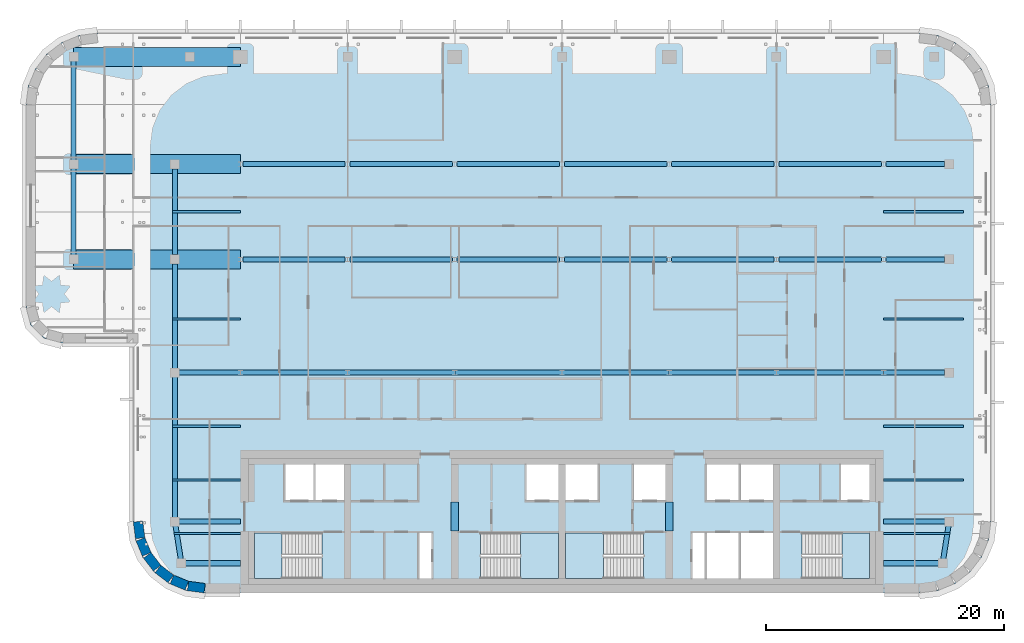
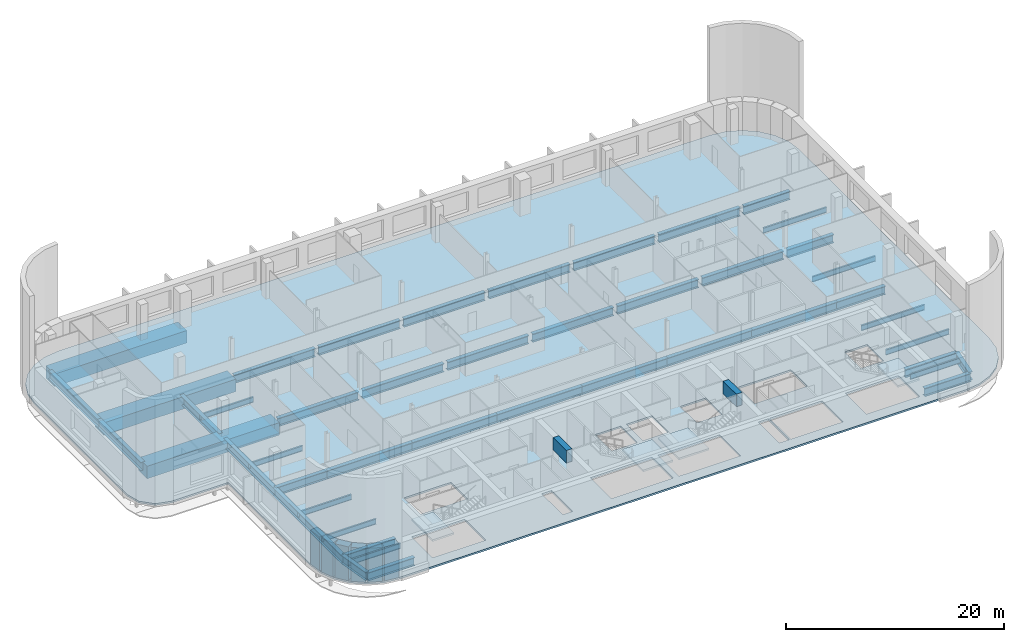
# One storey, part 5 of 19: 48 beams, 6 walls, 5 slabs, 4 elements without a shape of their own.
"""IFC4 building model written with IfcOpenShell, lengths in metres."""

import ifcopenshell
import ifcopenshell.guid

model = None  # the IFC model being written
_history = None  # IfcOwnerHistory: only IFC2X3 demands one
_inside = {}  # id of a spatial element -> (the spatial element, [elements in it])
_under = {}  # id of a project, library or spatial element -> (it, [spatial elements below it])
_declared = {}  # id of a project -> (the project, [libraries it declares])
_typed = {}  # id of a type object -> (the type object, [elements of that type])
_made_of = {}  # id of a material, layer set ... -> (it, [elements and type objects made of it])


def new_model(schema):
    """Start an empty IFC model of exactly this schema.

    Asked for "IFC4X3", IfcOpenShell would pick the latest addendum, in which some entities
    have other attributes; the version numbers below select the first issue.
    IFC2X3 requires an IfcOwnerHistory on every rooted entity: one is made here for all.
    """
    global model, _history
    if schema == "IFC4X3":
        model = ifcopenshell.file(schema_version=(4, 3, 0, 0))
    else:
        model = ifcopenshell.file(schema=schema)
    _inside.clear()
    _under.clear()
    _declared.clear()
    _typed.clear()
    _made_of.clear()
    _history = None
    if model.schema == "IFC2X3":
        org = make("IfcOrganization", Name="unknown")
        user = make(
            "IfcPersonAndOrganization",
            ThePerson=make("IfcPerson", FamilyName="unknown"),
            TheOrganization=org,
        )
        app = make(
            "IfcApplication",
            ApplicationDeveloper=org,
            Version="unknown",
            ApplicationFullName="unknown",
            ApplicationIdentifier="unknown",
        )
        _history = make(
            "IfcOwnerHistory",
            OwningUser=user,
            OwningApplication=app,
            ChangeAction="ADDED",
            CreationDate=0,
        )
    return model


def make(cls, **values):
    """One entity of the class cls with the attributes given. An attribute that is None is left unset."""
    return model.create_entity(
        cls, **{name: value for name, value in values.items() if value is not None}
    )


def rooted(cls, **values):
    """An entity with a GlobalId (a new one), such as an element, a storey or a relation."""
    return make(cls, GlobalId=ifcopenshell.guid.new(), OwnerHistory=_history, **values)


def si_unit(unit_type, name, prefix=None):
    """IfcSIUnit, for example si_unit("LENGTHUNIT", "METRE", prefix="MILLI")."""
    return make("IfcSIUnit", UnitType=unit_type, Prefix=prefix, Name=name)


def assignment(units):
    """IfcUnitAssignment: the units of a project."""
    return None if units is None else make("IfcUnitAssignment", Units=units)


def point(xyz):
    """IfcCartesianPoint."""
    return None if xyz is None else make("IfcCartesianPoint", Coordinates=xyz)


def direction(xyz):
    """IfcDirection."""
    return None if xyz is None else make("IfcDirection", DirectionRatios=xyz)


def frame(location, z_axis=None, x_axis=None):
    """IfcAxis2Placement3D, a coordinate frame: its origin and axes. An axis left out is left unset."""
    return make(
        "IfcAxis2Placement3D",
        Location=point(location),
        Axis=direction(z_axis),
        RefDirection=direction(x_axis),
    )


def frame_2d(location, x_axis=None):
    """IfcAxis2Placement2D, a coordinate frame in the plane: its origin and x axis."""
    return make(
        "IfcAxis2Placement2D", Location=point(location), RefDirection=direction(x_axis)
    )


def origin():
    """The frame at (0, 0, 0) with its axes left unset."""
    return frame((0.0, 0.0, 0.0))


def origin_2d():
    """The frame at (0, 0) in the plane with its x axis left unset."""
    return frame_2d((0.0, 0.0))


def place(relative_to, where):
    """IfcLocalPlacement: puts the frame where relative to a parent placement (None: the world)."""
    return make(
        "IfcLocalPlacement", PlacementRelTo=relative_to, RelativePlacement=where
    )


def context(
    kind, dimensions, precision=None, world=None, true_north=None, identifier=None
):
    """IfcGeometricRepresentationContext, for example the 3D "Model" context."""
    return make(
        "IfcGeometricRepresentationContext",
        ContextIdentifier=identifier,
        ContextType=kind,
        CoordinateSpaceDimension=dimensions,
        Precision=precision,
        WorldCoordinateSystem=world,
        TrueNorth=true_north,
    )


def subcontext(parent, identifier, kind, view, scale=None):
    """IfcGeometricRepresentationSubContext, for example "Body" below "Model"."""
    return make(
        "IfcGeometricRepresentationSubContext",
        ContextIdentifier=identifier,
        ContextType=kind,
        ParentContext=parent,
        TargetScale=scale,
        TargetView=view,
    )


def project(units=None, contexts=None):
    """IfcProject with its units and contexts."""
    return rooted(
        "IfcProject",
        Name="project",
        RepresentationContexts=contexts,
        UnitsInContext=assignment(units),
    )


def spatial(cls, under=None, at=None, **own):
    """A site, building, storey or space (cls), placed at a placement, below another one or the project."""
    s = rooted(cls, ObjectPlacement=at, **own)
    if under is not None:
        _under.setdefault(under.id(), (under, []))[1].append(s)
    return s


def polyline(points):
    """IfcPolyline through the points."""
    return make("IfcPolyline", Points=[point(p) for p in points])


def profile(cls, at=None, kind="AREA", **sizes):
    """A parametric profile (cls). Its sizes go by their IFC names, for example OverallWidth=200.0."""
    return make(cls, ProfileType=kind, Position=at, **sizes)


def rectangle(**sizes):
    """IfcRectangleProfileDef."""
    return profile("IfcRectangleProfileDef", **sizes)


def i_section(**sizes):
    """IfcIShapeProfileDef."""
    return profile("IfcIShapeProfileDef", **sizes)


def outline(outer, holes=None, kind="AREA"):
    """IfcArbitraryClosedProfileDef: a profile drawn as a closed curve; with holes, ...WithVoids."""
    if holes is None:
        return make("IfcArbitraryClosedProfileDef", ProfileType=kind, OuterCurve=outer)
    return make(
        "IfcArbitraryProfileDefWithVoids",
        ProfileType=kind,
        OuterCurve=outer,
        InnerCurves=holes,
    )


def extrude(swept, where, along, depth):
    """IfcExtrudedAreaSolid: the profile swept, set in the frame where, extruded along a direction by depth."""
    return make(
        "IfcExtrudedAreaSolid",
        SweptArea=swept,
        Position=where,
        ExtrudedDirection=direction(along),
        Depth=depth,
    )


def shape(context_of_items, identifier, shape_type, items):
    """IfcShapeRepresentation: the items that make up one representation, for example the "Body"."""
    return make(
        "IfcShapeRepresentation",
        ContextOfItems=context_of_items,
        RepresentationIdentifier=identifier,
        RepresentationType=shape_type,
        Items=items,
    )


def material(Name=None, Category=None):
    """IfcMaterial."""
    return make("IfcMaterial", Name=Name, Category=Category)


def layer(
    of_material, thickness, ventilated=None, Name=None, Category=None, Priority=None
):
    """IfcMaterialLayer: one layer of a wall or slab, of a material (None: an air gap)."""
    return make(
        "IfcMaterialLayer",
        Material=of_material,
        LayerThickness=thickness,
        IsVentilated=ventilated,
        Name=Name,
        Category=Category,
        Priority=Priority,
    )


def layer_set(layers, Name=None):
    """IfcMaterialLayerSet."""
    return make("IfcMaterialLayerSet", MaterialLayers=layers, LayerSetName=Name)


def material_profile(
    of_material, cross_section, Name=None, Category=None, Priority=None
):
    """IfcMaterialProfile: a cross section and its material."""
    return make(
        "IfcMaterialProfile",
        Name=Name,
        Material=of_material,
        Profile=cross_section,
        Priority=Priority,
        Category=Category,
    )


def profile_set(profiles, Name=None, composite=None):
    """IfcMaterialProfileSet."""
    return make(
        "IfcMaterialProfileSet",
        Name=Name,
        MaterialProfiles=profiles,
        CompositeProfile=composite,
    )


def made_of(thing, what):
    """Note that an element or type object is made of a material, layer set ...; save() writes the relation."""
    if what is not None:
        _made_of.setdefault(what.id(), (what, []))[1].append(thing)
    return thing


def type_object(cls, material=None, **own):
    """A type object (cls), such as IfcWallType, which elements share."""
    return made_of(rooted(cls, **own), material)


def element(
    cls,
    number,
    at=None,
    inside=None,
    cuts=None,
    type_object=None,
    material=None,
    context=None,
    identifier="Body",
    shape_type=None,
    held_by="IfcProductDefinitionShape",
    body=None,
    shapes=None,
    **own,
):
    """One element of the class cls, such as IfcWall. Its Tag is "e" and its number.

    at: its placement. inside: the storey or other place that contains it. cuts: it is an
    opening in that element (IfcRelVoidsElement). A single representation is given by context,
    identifier, shape_type and body (its items); several are given by shapes. held_by: the class
    of the entity that holds the representations. save() writes the other relations.
    """
    e = rooted(cls, Tag="e%d" % number, ObjectPlacement=at, **own)
    if body is not None:
        shapes = [shape(context, identifier, shape_type, body)]
    if shapes is not None:
        e.Representation = make(held_by, Representations=shapes)
    if inside is not None:
        _inside.setdefault(inside.id(), (inside, []))[1].append(e)
    if cuts is not None:
        rooted(
            "IfcRelVoidsElement", RelatingBuildingElement=cuts, RelatedOpeningElement=e
        )
    if type_object is not None:
        _typed.setdefault(type_object.id(), (type_object, []))[1].append(e)
    return made_of(e, material)


def aggregate(whole, parts):
    """IfcRelAggregates: a whole, such as a stair, and the parts it consists of."""
    return rooted("IfcRelAggregates", RelatingObject=whole, RelatedObjects=parts)


def save(model, path):
    """Write the relations noted so far, then the file.

    IfcRelAggregates (storeys below a building ...), IfcRelContainedInSpatialStructure (elements
    in a storey), IfcRelDefinesByType, IfcRelAssociatesMaterial and IfcRelDeclares: one each for
    every whole, place, type object, material and project.
    """
    for whole, parts in _under.values():
        aggregate(whole, parts)
    for where, things in _inside.values():
        rooted(
            "IfcRelContainedInSpatialStructure",
            RelatedElements=things,
            RelatingStructure=where,
        )
    for kind, things in _typed.values():
        rooted("IfcRelDefinesByType", RelatedObjects=things, RelatingType=kind)
    for what, things in _made_of.values():
        rooted("IfcRelAssociatesMaterial", RelatedObjects=things, RelatingMaterial=what)
    for by, libraries in _declared.values():
        rooted("IfcRelDeclares", RelatingContext=by, RelatedDefinitions=libraries)
    model.write(path)


model = new_model("IFC4")

# Units and contexts
model_context = context("Model", 3, precision=1e-05, world=origin(), true_north=direction((0.0, 1.0)))
body_context = subcontext(model_context, "Body", "Model", "MODEL_VIEW")
ifc_project = project(units=[si_unit("LENGTHUNIT", "METRE"), si_unit("AREAUNIT", "SQUARE_METRE"), si_unit("VOLUMEUNIT", "CUBIC_METRE"), si_unit("PLANEANGLEUNIT", "RADIAN"), si_unit("MASSUNIT", "GRAM", prefix="KILO")], contexts=[model_context])

# Site, building, storey
site_placement = place(None, origin())
site = spatial("IfcSite", under=ifc_project, at=site_placement, CompositionType="ELEMENT")
building_placement = place(site_placement, origin())
building = spatial("IfcBuilding", under=site, at=building_placement, Name="Zellij Exchange Tower", CompositionType="ELEMENT")
storey_placement = place(building_placement, frame((0.0, 0.0, 220.5)))
storey = spatial("IfcBuildingStorey", under=building, at=storey_placement, Name="L51", CompositionType="ELEMENT", Elevation=220.5)

# Beams
ifc_material_1 = material(Name="Concrete C50/60", Category="concrete")
ifc_material_profile_1 = material_profile(ifc_material_1, rectangle(XDim=0.60009765625, YDim=1.39990234375, at=origin_2d()), Name="CORE-CB 600x1400 C50/60")
ifc_profile_set_1 = profile_set([ifc_material_profile_1], Name="Concrete C50/60")
beam_type_1 = type_object("IfcBeamType", Name="CORE-CB 600x1400 C50/60", PredefinedType="BEAM", material=ifc_profile_set_1)
for number, where, z_axis, x_axis, name in (
    (1, (-9.0, -8.800048828125, 3.10009765625), (0.0, 1.0, 0.0), (-1.0, 0.0, 0.0), "Core coupling beam x -9 L51"),
    (2, (9.0, -8.800048828125, 3.10009765625), (0.0, 1.0, 0.0), (-1.0, 0.0, 0.0), "Core coupling beam x 9 L51"),
):
    element("IfcBeam", number, at=place(storey_placement, frame(where, z_axis=z_axis, x_axis=x_axis)), inside=storey, type_object=beam_type_1, Name=name, PredefinedType="BEAM", context=body_context, shape_type="SweptSolid", body=[
        extrude(rectangle(XDim=0.60009765625, YDim=1.39990234375, at=origin_2d()), origin(), (0.0, 0.0, 1.0), 2.425048828125),
    ])
ifc_material_2 = material(Name="Structural steel ASTM A992 Gr 50", Category="steel")
ifc_material_profile_2 = material_profile(ifc_material_2, i_section(OverallWidth=0.177978515625, OverallDepth=0.599365234375, WebThickness=0.010009765625, FlangeThickness=0.012939453125, at=origin_2d()), Name="W24x55")
ifc_profile_set_2 = profile_set([ifc_material_profile_2], Name="Structural steel ASTM A992 Gr 50")
beam_type_2 = type_object("IfcBeamType", Name="STR-BEAM W24x55", PredefinedType="BEAM", material=ifc_profile_set_2)
beam_1_placement = place(storey_placement, frame((-32.5576171875, -9.0, -0.499755859375), z_axis=(1.0, 0.0, 0.0), x_axis=(0.0, 1.0, 0.0)))
element("IfcBeam", 3, at=beam_1_placement, inside=storey, type_object=beam_type_2, Name="B4", PredefinedType="BEAM", context=body_context, shape_type="SweptSolid", body=[
    extrude(i_section(OverallWidth=0.177978515625, OverallDepth=0.599365234375, WebThickness=0.010009765625, FlangeThickness=0.012939453125, at=origin_2d()), origin(), (0.0, 0.0, 1.0), 5.5576171875),
])
for number, where, z_axis, x_axis, name in (
    (4, (-32.712158203125, -4.5, -0.499755859375), (1.0, 0.0, 0.0), (0.0, 1.0, 0.0), "B4"),
    (5, (-32.712158203125, 0.0, -0.499755859375), (1.0, 0.0, 0.0), (0.0, 1.0, 0.0), "B4"),
    (6, (-32.712158203125, 9.0, -0.499755859375), (1.0, 0.0, 0.0), (0.0, 1.0, 0.0), "B4"),
    (7, (-32.712158203125, 18.0, -0.499755859375), (1.0, 0.0, 0.0), (0.0, 1.0, 0.0), "B4"),
):
    element("IfcBeam", number, at=place(storey_placement, frame(where, z_axis=z_axis, x_axis=x_axis)), inside=storey, type_object=beam_type_2, Name=name, PredefinedType="BEAM", context=body_context, shape_type="SweptSolid", body=[
        extrude(i_section(OverallWidth=0.177978515625, OverallDepth=0.599365234375, WebThickness=0.010009765625, FlangeThickness=0.012939453125, at=origin_2d()), origin(), (0.0, 0.0, 1.0), 5.712158203125),
    ])
beam_2_placement = place(storey_placement, frame((27.0, -9.0, -0.499755859375), z_axis=(1.0, 0.0, 0.0), x_axis=(0.0, 1.0, 0.0)))
element("IfcBeam", 8, at=beam_2_placement, inside=storey, type_object=beam_type_2, Name="B4", PredefinedType="BEAM", context=body_context, shape_type="SweptSolid", body=[
    extrude(i_section(OverallWidth=0.177978515625, OverallDepth=0.599365234375, WebThickness=0.010009765625, FlangeThickness=0.012939453125, at=origin_2d()), origin(), (0.0, 0.0, 1.0), 5.5576171875),
])
for number, where, z_axis, x_axis, name in (
    (9, (27.0, -4.5, -0.499755859375), (1.0, 0.0, 0.0), (0.0, 1.0, 0.0), "B4"),
    (10, (27.0, 0.0, -0.499755859375), (1.0, 0.0, 0.0), (0.0, 1.0, 0.0), "B4"),
    (11, (27.0, 9.0, -0.499755859375), (1.0, 0.0, 0.0), (0.0, 1.0, 0.0), "B4"),
    (12, (27.0, 18.0, -0.499755859375), (1.0, 0.0, 0.0), (0.0, 1.0, 0.0), "B4"),
):
    element("IfcBeam", number, at=place(storey_placement, frame(where, z_axis=z_axis, x_axis=x_axis)), inside=storey, type_object=beam_type_2, Name=name, PredefinedType="BEAM", context=body_context, shape_type="SweptSolid", body=[
        extrude(i_section(OverallWidth=0.177978515625, OverallDepth=0.599365234375, WebThickness=0.010009765625, FlangeThickness=0.012939453125, at=origin_2d()), origin(), (0.0, 0.0, 1.0), 6.699951171875),
    ])
ifc_material_3 = material(Name="Structural steel ASTM A913 Gr 65", Category="steel")
ifc_material_profile_3 = material_profile(ifc_material_3, i_section(OverallWidth=0.424072265625, OverallDepth=0.93212890625, WebThickness=0.02392578125, FlangeThickness=0.042724609375, at=origin_2d()), Name="W36x300")
ifc_profile_set_3 = profile_set([ifc_material_profile_3], Name="Structural steel ASTM A913 Gr 65")
beam_type_3 = type_object("IfcBeamType", Name="STR-EDGE GIRDER W36x300", PredefinedType="BEAM", material=ifc_profile_set_3)
beam_3_placement = place(storey_placement, frame((-31.949951171875, -11.5, -0.666015625), z_axis=(-0.155251283593, 0.987875011802, 0.0), x_axis=(-0.987875011802, -0.155251283593, 0.0)))
element("IfcBeam", 13, at=beam_3_placement, inside=storey, type_object=beam_type_3, Name="EG5", PredefinedType="BEAM", context=body_context, shape_type="SweptSolid", body=[
    extrude(i_section(OverallWidth=0.424072265625, OverallDepth=0.93212890625, WebThickness=0.02392578125, FlangeThickness=0.042724609375, at=origin_2d()), origin(), (0.0, 0.0, 1.0), 3.54296875),
])
beam_4_placement = place(storey_placement, frame((-32.5, -8.0, -0.666015625), z_axis=(0.0, 1.0, 0.0), x_axis=(-1.0, 0.0, 0.0)))
element("IfcBeam", 14, at=beam_4_placement, inside=storey, type_object=beam_type_3, Name="EG5", PredefinedType="BEAM", context=body_context, shape_type="SweptSolid", body=[
    extrude(i_section(OverallWidth=0.424072265625, OverallDepth=0.93212890625, WebThickness=0.02392578125, FlangeThickness=0.042724609375, at=origin_2d()), origin(), (0.0, 0.0, 1.0), 12.5),
])
beam_5_placement = place(storey_placement, frame((-32.5, 4.5, -0.666015625), z_axis=(0.0, 1.0, 0.0), x_axis=(-1.0, 0.0, 0.0)))
element("IfcBeam", 15, at=beam_5_placement, inside=storey, type_object=beam_type_3, Name="EG5", PredefinedType="BEAM", context=body_context, shape_type="SweptSolid", body=[
    extrude(i_section(OverallWidth=0.424072265625, OverallDepth=0.93212890625, WebThickness=0.02392578125, FlangeThickness=0.042724609375, at=origin_2d()), origin(), (0.0, 0.0, 1.0), 9.10009765625),
])
beam_6_placement = place(storey_placement, frame((-32.5, 14.39990234375, -0.666015625), z_axis=(0.0, 1.0, 0.0), x_axis=(-1.0, 0.0, 0.0)))
element("IfcBeam", 16, at=beam_6_placement, inside=storey, type_object=beam_type_3, Name="EG5", PredefinedType="BEAM", context=body_context, shape_type="SweptSolid", body=[
    extrude(i_section(OverallWidth=0.424072265625, OverallDepth=0.93212890625, WebThickness=0.02392578125, FlangeThickness=0.042724609375, at=origin_2d()), origin(), (0.0, 0.0, 1.0), 7.2001953125),
])
beam_7_placement = place(storey_placement, frame((31.949951171875, -11.5, -0.666015625), z_axis=(0.155251283593, 0.987875011802, 0.0), x_axis=(-0.987875011802, 0.155251283593, 0.0)))
element("IfcBeam", 17, at=beam_7_placement, inside=storey, type_object=beam_type_3, Name="EG5", PredefinedType="BEAM", context=body_context, shape_type="SweptSolid", body=[
    extrude(i_section(OverallWidth=0.424072265625, OverallDepth=0.93212890625, WebThickness=0.02392578125, FlangeThickness=0.042724609375, at=origin_2d()), origin(), (0.0, 0.0, 1.0), 3.54296875),
])
ifc_material_profile_4 = material_profile(ifc_material_1, rectangle(XDim=1.60009765625, YDim=1.39990234375, at=origin_2d()), Name="STR-END BLOCK TRANSFER GIRDER RC1600x1400 C50/60")
ifc_profile_set_4 = profile_set([ifc_material_profile_4], Name="Concrete C50/60")
beam_type_4 = type_object("IfcBeamType", Name="STR-END BLOCK TRANSFER GIRDER RC1600x1400 C50/60", PredefinedType="BEAM", material=ifc_profile_set_4)
for number, where, z_axis, x_axis, name in (
    (18, (-41.0, 14.0, -0.89990234375), (1.0, 0.0, 0.0), (0.0, 1.0, 0.0), "ETG1"),
    (19, (-41.0, 22.0, -0.89990234375), (1.0, 0.0, 0.0), (0.0, 1.0, 0.0), "ETG1"),
    (20, (-41.0, 31.0, -0.89990234375), (1.0, 0.0, 0.0), (0.0, 1.0, 0.0), "ETG1"),
):
    element("IfcBeam", number, at=place(storey_placement, frame(where, z_axis=z_axis, x_axis=x_axis)), inside=storey, type_object=beam_type_4, Name=name, PredefinedType="BEAM", context=body_context, shape_type="SweptSolid", body=[
        extrude(rectangle(XDim=1.60009765625, YDim=1.39990234375, at=origin_2d()), origin(), (0.0, 0.0, 1.0), 14.0),
    ])
ifc_material_profile_5 = material_profile(ifc_material_3, i_section(OverallWidth=0.424072265625, OverallDepth=0.93212890625, WebThickness=0.02392578125, FlangeThickness=0.042724609375, at=origin_2d()), Name="W36x300")
ifc_profile_set_5 = profile_set([ifc_material_profile_5], Name="Structural steel ASTM A913 Gr 65")
beam_type_5 = type_object("IfcBeamType", Name="STR-GIRDER W36x300", PredefinedType="BEAM", material=ifc_profile_set_5)
for number, where, z_axis, x_axis, name in (
    (21, (-31.949951171875, -11.5, -0.666015625), (1.0, 0.0, 0.0), (0.0, 1.0, 0.0), "G5"),
    (22, (27.0, -11.5, -0.666015625), (1.0, 0.0, 0.0), (0.0, 1.0, 0.0), "G5"),
):
    element("IfcBeam", number, at=place(storey_placement, frame(where, z_axis=z_axis, x_axis=x_axis)), inside=storey, type_object=beam_type_5, Name=name, PredefinedType="BEAM", context=body_context, shape_type="SweptSolid", body=[
        extrude(i_section(OverallWidth=0.424072265625, OverallDepth=0.93212890625, WebThickness=0.02392578125, FlangeThickness=0.042724609375, at=origin_2d()), origin(), (0.0, 0.0, 1.0), 4.949951171875),
    ])
for number, where, z_axis, x_axis, name in (
    (23, (-32.5, -8.0, -0.666015625), (1.0, 0.0, 0.0), (0.0, 1.0, 0.0), "G5"),
    (24, (27.0, -8.0, -0.666015625), (1.0, 0.0, 0.0), (0.0, 1.0, 0.0), "G5"),
    (25, (-32.5, 4.5, -0.666015625), (1.0, 0.0, 0.0), (0.0, 1.0, 0.0), "G5"),
):
    element("IfcBeam", number, at=place(storey_placement, frame(where, z_axis=z_axis, x_axis=x_axis)), inside=storey, type_object=beam_type_5, Name=name, PredefinedType="BEAM", context=body_context, shape_type="SweptSolid", body=[
        extrude(i_section(OverallWidth=0.424072265625, OverallDepth=0.93212890625, WebThickness=0.02392578125, FlangeThickness=0.042724609375, at=origin_2d()), origin(), (0.0, 0.0, 1.0), 5.5),
    ])
for number, where, z_axis, x_axis, name in (
    (26, (-27.0, 4.5, -0.666015625), (1.0, 0.0, 0.0), (0.0, 1.0, 0.0), "G5"),
    (27, (-18.0, 4.5, -0.666015625), (1.0, 0.0, 0.0), (0.0, 1.0, 0.0), "G5"),
    (28, (-9.0, 4.5, -0.666015625), (1.0, 0.0, 0.0), (0.0, 1.0, 0.0), "G5"),
    (29, (0.0, 4.5, -0.666015625), (1.0, 0.0, 0.0), (0.0, 1.0, 0.0), "G5"),
    (30, (9.0, 4.5, -0.666015625), (1.0, 0.0, 0.0), (0.0, 1.0, 0.0), "G5"),
    (31, (18.0, 4.5, -0.666015625), (1.0, 0.0, 0.0), (0.0, 1.0, 0.0), "G5"),
):
    element("IfcBeam", number, at=place(storey_placement, frame(where, z_axis=z_axis, x_axis=x_axis)), inside=storey, type_object=beam_type_5, Name=name, PredefinedType="BEAM", context=body_context, shape_type="SweptSolid", body=[
        extrude(i_section(OverallWidth=0.424072265625, OverallDepth=0.93212890625, WebThickness=0.02392578125, FlangeThickness=0.042724609375, at=origin_2d()), origin(), (0.0, 0.0, 1.0), 9.0),
    ])
beam_8_placement = place(storey_placement, frame((27.0, 4.5, -0.666015625), z_axis=(1.0, 0.0, 0.0), x_axis=(0.0, 1.0, 0.0)))
element("IfcBeam", 32, at=beam_8_placement, inside=storey, type_object=beam_type_5, Name="G5", PredefinedType="BEAM", context=body_context, shape_type="SweptSolid", body=[
    extrude(i_section(OverallWidth=0.424072265625, OverallDepth=0.93212890625, WebThickness=0.02392578125, FlangeThickness=0.042724609375, at=origin_2d()), origin(), (0.0, 0.0, 1.0), 5.10009765625),
])
for number, where, z_axis, x_axis, name in (
    (33, (-26.800537109375, 14.0, -0.666015625), (1.0, 0.0, 0.0), (0.0, 1.0, 0.0), "G5"),
    (34, (-17.800537109375, 14.0, -0.666015625), (1.0, 0.0, 0.0), (0.0, 1.0, 0.0), "G5"),
    (35, (-8.800537109375, 14.0, -0.666015625), (1.0, 0.0, 0.0), (0.0, 1.0, 0.0), "G5"),
    (36, (0.199462890625, 14.0, -0.666015625), (1.0, 0.0, 0.0), (0.0, 1.0, 0.0), "G5"),
    (37, (9.199462890625, 14.0, -0.666015625), (1.0, 0.0, 0.0), (0.0, 1.0, 0.0), "G5"),
    (38, (18.199462890625, 14.0, -0.666015625), (1.0, 0.0, 0.0), (0.0, 1.0, 0.0), "G5"),
):
    element("IfcBeam", number, at=place(storey_placement, frame(where, z_axis=z_axis, x_axis=x_axis)), inside=storey, type_object=beam_type_5, Name=name, PredefinedType="BEAM", context=body_context, shape_type="SweptSolid", body=[
        extrude(i_section(OverallWidth=0.424072265625, OverallDepth=0.93212890625, WebThickness=0.02392578125, FlangeThickness=0.042724609375, at=origin_2d()), origin(), (0.0, 0.0, 1.0), 8.60107421875),
    ])
beam_9_placement = place(storey_placement, frame((27.199462890625, 14.0, -0.666015625), z_axis=(1.0, 0.0, 0.0), x_axis=(0.0, 1.0, 0.0)))
element("IfcBeam", 39, at=beam_9_placement, inside=storey, type_object=beam_type_5, Name="G5", PredefinedType="BEAM", context=body_context, shape_type="SweptSolid", body=[
    extrude(i_section(OverallWidth=0.424072265625, OverallDepth=0.93212890625, WebThickness=0.02392578125, FlangeThickness=0.042724609375, at=origin_2d()), origin(), (0.0, 0.0, 1.0), 4.900634765625),
])
for number, where, z_axis, x_axis, name in (
    (40, (-26.800537109375, 22.0, -0.666015625), (1.0, 0.0, 0.0), (0.0, 1.0, 0.0), "G5"),
    (41, (-17.800537109375, 22.0, -0.666015625), (1.0, 0.0, 0.0), (0.0, 1.0, 0.0), "G5"),
    (42, (-8.800537109375, 22.0, -0.666015625), (1.0, 0.0, 0.0), (0.0, 1.0, 0.0), "G5"),
    (43, (0.199462890625, 22.0, -0.666015625), (1.0, 0.0, 0.0), (0.0, 1.0, 0.0), "G5"),
    (44, (9.199462890625, 22.0, -0.666015625), (1.0, 0.0, 0.0), (0.0, 1.0, 0.0), "G5"),
    (45, (18.199462890625, 22.0, -0.666015625), (1.0, 0.0, 0.0), (0.0, 1.0, 0.0), "G5"),
):
    element("IfcBeam", number, at=place(storey_placement, frame(where, z_axis=z_axis, x_axis=x_axis)), inside=storey, type_object=beam_type_5, Name=name, PredefinedType="BEAM", context=body_context, shape_type="SweptSolid", body=[
        extrude(i_section(OverallWidth=0.424072265625, OverallDepth=0.93212890625, WebThickness=0.02392578125, FlangeThickness=0.042724609375, at=origin_2d()), origin(), (0.0, 0.0, 1.0), 8.60107421875),
    ])
beam_10_placement = place(storey_placement, frame((27.199462890625, 22.0, -0.666015625), z_axis=(1.0, 0.0, 0.0), x_axis=(0.0, 1.0, 0.0)))
element("IfcBeam", 46, at=beam_10_placement, inside=storey, type_object=beam_type_5, Name="G5", PredefinedType="BEAM", context=body_context, shape_type="SweptSolid", body=[
    extrude(i_section(OverallWidth=0.424072265625, OverallDepth=0.93212890625, WebThickness=0.02392578125, FlangeThickness=0.042724609375, at=origin_2d()), origin(), (0.0, 0.0, 1.0), 4.900634765625),
])
beam_11_placement = place(storey_placement, frame((-41.0, 14.0, -0.666015625), z_axis=(0.0, 1.0, 0.0), x_axis=(-1.0, 0.0, 0.0)))
element("IfcBeam", 47, at=beam_11_placement, inside=storey, type_object=beam_type_5, Name="G5", PredefinedType="BEAM", context=body_context, shape_type="SweptSolid", body=[
    extrude(i_section(OverallWidth=0.424072265625, OverallDepth=0.93212890625, WebThickness=0.02392578125, FlangeThickness=0.042724609375, at=origin_2d()), origin(), (0.0, 0.0, 1.0), 8.0),
])
beam_12_placement = place(storey_placement, frame((-41.0, 22.0, -0.666015625), z_axis=(0.0, 1.0, 0.0), x_axis=(-1.0, 0.0, 0.0)))
element("IfcBeam", 48, at=beam_12_placement, inside=storey, type_object=beam_type_5, Name="G5", PredefinedType="BEAM", context=body_context, shape_type="SweptSolid", body=[
    extrude(i_section(OverallWidth=0.424072265625, OverallDepth=0.93212890625, WebThickness=0.02392578125, FlangeThickness=0.042724609375, at=origin_2d()), origin(), (0.0, 0.0, 1.0), 9.0),
])

# Stair, slab
ifc_material_4 = material(Name="Concrete C40/50", Category="concrete")
stair_type = type_object("IfcStairType", Name="CORE-ST exit stair 1850 wide", PredefinedType="HALF_TURN_STAIR", material=ifc_material_4)
stair_1_placement = place(storey_placement, origin())
stair_1 = element("IfcStair", 49, at=stair_1_placement, inside=storey, type_object=stair_type, Name="L51 exit stair ST1", PredefinedType="HALF_TURN_STAIR")
ifc_layer_1 = layer(ifc_material_4, 0.199951171875)
ifc_layer_set_1 = layer_set([ifc_layer_1], Name="Concrete C40/50")
slab_type_1 = type_object("IfcSlabType", Name="CORE-SL stair landing 200", PredefinedType="LANDING", material=ifc_layer_set_1)
slab_1_placement = place(storey_placement, frame((0.0, 0.0, 1.800048828125)))
slab_1 = element("IfcSlab", 50, at=slab_1_placement, type_object=slab_type_1, Name="ST1 landing 1", PredefinedType="LANDING", context=body_context, shape_type="SweptSolid", body=[
    extrude(outline(polyline([(-23.510009765625, -8.949951171875), (-25.800048828125, -8.949951171875), (-25.800048828125, -12.800048828125), (-23.510009765625, -12.800048828125), (-23.510009765625, -8.949951171875)])), origin(), (0.0, 0.0, 1.0), 0.199951171875),
])
aggregate(stair_1, [slab_1])

stair_2_placement = place(storey_placement, origin())
stair_2 = element("IfcStair", 51, at=stair_2_placement, inside=storey, type_object=stair_type, Name="L51 exit stair ST2", PredefinedType="HALF_TURN_STAIR")
slab_2_placement = place(storey_placement, frame((0.0, 0.0, 1.800048828125)))
slab_2 = element("IfcSlab", 52, at=slab_2_placement, type_object=slab_type_1, Name="ST2 landing 1", PredefinedType="LANDING", context=body_context, shape_type="SweptSolid", body=[
    extrude(outline(polyline([(-3.489990234375, -12.800048828125), (-0.300048828125, -12.800048828125), (-0.300048828125, -8.949951171875), (-3.489990234375, -8.949951171875), (-3.489990234375, -12.800048828125)])), origin(), (0.0, 0.0, 1.0), 0.199951171875),
])
aggregate(stair_2, [slab_2])

stair_3_placement = place(storey_placement, origin())
stair_3 = element("IfcStair", 53, at=stair_3_placement, inside=storey, type_object=stair_type, Name="L51 exit stair ST3", PredefinedType="HALF_TURN_STAIR")
slab_3_placement = place(storey_placement, frame((0.0, 0.0, 1.800048828125)))
slab_3 = element("IfcSlab", 54, at=slab_3_placement, type_object=slab_type_1, Name="ST3 landing 1", PredefinedType="LANDING", context=body_context, shape_type="SweptSolid", body=[
    extrude(outline(polyline([(3.489990234375, -8.949951171875), (0.300048828125, -8.949951171875), (0.300048828125, -12.800048828125), (3.489990234375, -12.800048828125), (3.489990234375, -8.949951171875)])), origin(), (0.0, 0.0, 1.0), 0.199951171875),
])
aggregate(stair_3, [slab_3])

stair_4_placement = place(storey_placement, origin())
stair_4 = element("IfcStair", 55, at=stair_4_placement, inside=storey, type_object=stair_type, Name="L51 exit stair ST4", PredefinedType="HALF_TURN_STAIR")
slab_4_placement = place(storey_placement, frame((0.0, 0.0, 1.800048828125)))
slab_4 = element("IfcSlab", 56, at=slab_4_placement, type_object=slab_type_1, Name="ST4 landing 1", PredefinedType="LANDING", context=body_context, shape_type="SweptSolid", body=[
    extrude(outline(polyline([(23.510009765625, -12.800048828125), (25.800048828125, -12.800048828125), (25.800048828125, -8.949951171875), (23.510009765625, -8.949951171875), (23.510009765625, -12.800048828125)])), origin(), (0.0, 0.0, 1.0), 0.199951171875),
])
aggregate(stair_4, [slab_4])

# Slab
ifc_layer_2 = layer(ifc_material_4, 0.199951171875)
ifc_layer_set_2 = layer_set([ifc_layer_2], Name="Concrete C40/50")
slab_type_2 = type_object("IfcSlabType", Name="STR-FLOOR SLAB 200 C40/50", PredefinedType="FLOOR", material=ifc_layer_set_2)
slab_5_placement = place(storey_placement, frame((0.0, 0.0, -0.2001953125)))
element("IfcSlab", 57, at=slab_5_placement, inside=storey, type_object=slab_type_2, Name="Floor L51", PredefinedType="FLOOR", context=body_context, shape_type="SweptSolid", body=[
    extrude(outline(polyline([(31.552978515625, 32.795654296875), (33.0, 32.1962890625), (34.24267578125, 31.24267578125), (35.1962890625, 30.0), (35.795654296875, 28.552978515625), (36.0, 27.0), (36.0, -8.0), (35.795654296875, -9.552978515625), (35.1962890625, -11.0), (34.24267578125, -12.24267578125), (33.0, -13.1962890625), (31.552978515625, -13.795654296875), (30.0, -14.0), (-30.0, -14.0), (-31.552978515625, -13.795654296875), (-33.0, -13.1962890625), (-34.24267578125, -12.24267578125), (-35.1962890625, -11.0), (-35.795654296875, -9.552978515625), (-36.0, -8.0), (-36.0, 7.0), (-42.0, 7.0), (-43.5, 7.40185546875), (-44.59814453125, 8.5), (-45.0, 10.0), (-45.0, 27.0), (-44.795654296875, 28.552978515625), (-44.1962890625, 30.0), (-43.24267578125, 31.24267578125), (-42.0, 32.1962890625), (-40.552978515625, 32.795654296875), (-39.0, 33.0), (30.0, 33.0), (31.552978515625, 32.795654296875)]), holes=[polyline([(-25.800048828125, -8.949951171875), (-25.800048828125, -12.800048828125), (-20.153076171875, -12.800048828125), (-20.153076171875, -8.949951171875), (-25.800048828125, -8.949951171875)]), polyline([(-10.949951171875, -8.949951171875), (-12.0, -8.949951171875), (-12.0, -12.800048828125), (-10.949951171875, -12.800048828125), (-10.949951171875, -8.949951171875)]), polyline([(-0.300048828125, -8.949951171875), (-6.846923828125, -8.949951171875), (-6.846923828125, -12.800048828125), (-0.300048828125, -12.800048828125), (-0.300048828125, -8.949951171875)]), polyline([(0.300048828125, -8.949951171875), (0.300048828125, -12.800048828125), (6.846923828125, -12.800048828125), (6.846923828125, -8.949951171875), (0.300048828125, -8.949951171875)]), polyline([(-18.300048828125, -3.199951171875), (-23.25, -3.199951171875), (-23.25, -6.22509765625), (-18.300048828125, -6.22509765625), (-18.300048828125, -3.199951171875)]), polyline([(-0.300048828125, -3.199951171875), (-3.0, -3.199951171875), (-3.0, -6.22509765625), (-0.300048828125, -6.22509765625), (-0.300048828125, -3.199951171875)]), polyline([(0.300048828125, -3.199951171875), (0.300048828125, -6.22509765625), (3.0, -6.22509765625), (3.0, -3.199951171875), (0.300048828125, -3.199951171875)]), polyline([(12.0, -8.949951171875), (10.949951171875, -8.949951171875), (10.949951171875, -12.800048828125), (12.0, -12.800048828125), (12.0, -8.949951171875)]), polyline([(17.699951171875, -8.949951171875), (12.14990234375, -8.949951171875), (12.14990234375, -12.800048828125), (17.699951171875, -12.800048828125), (17.699951171875, -8.949951171875)]), polyline([(25.800048828125, -8.949951171875), (20.153076171875, -8.949951171875), (20.153076171875, -12.800048828125), (25.800048828125, -12.800048828125), (25.800048828125, -8.949951171875)]), polyline([(8.699951171875, -3.199951171875), (6.0, -3.199951171875), (6.0, -6.22509765625), (8.699951171875, -6.22509765625), (8.699951171875, -3.199951171875)]), polyline([(17.699951171875, -3.199951171875), (12.14990234375, -3.199951171875), (12.14990234375, -6.22509765625), (17.699951171875, -6.22509765625), (17.699951171875, -3.199951171875)]), polyline([(25.800048828125, -3.199951171875), (23.39990234375, -3.199951171875), (23.39990234375, -6.22509765625), (25.800048828125, -6.22509765625), (25.800048828125, -3.199951171875)])]), origin(), (0.0, 0.0, 1.0), 0.2001953125),
])

# Walls
ifc_material_5 = material(Name="Precast concrete C40/50", Category="concrete")
ifc_layer_3 = layer(ifc_material_5, 0.800048828125)
ifc_layer_set_3 = layer_set([ifc_layer_3], Name="Precast concrete C40/50")
wall_type = type_object("IfcWallType", Name="ENV-EW1 Precast stone-piered wall 800", PredefinedType="SOLIDWALL", material=ifc_layer_set_3)
wall_1_placement = place(storey_placement, frame((-35.5966796875, -7.999755859375, 0.0), z_axis=(0.0, 0.0, 1.0), x_axis=(0.130517283865, -0.99144603414, 0.0)))
element("IfcWall", 58, at=wall_1_placement, inside=storey, type_object=wall_type, Name="fac.L51.27", PredefinedType="SOLIDWALL", context=body_context, shape_type="SweptSolid", body=[
    extrude(rectangle(XDim=1.408447265625, YDim=0.800048828125, at=frame_2d((0.7041015625, 0.0))), origin(), (0.0, 0.0, 1.0), 3.800048828125),
])
wall_2_placement = place(storey_placement, frame((-35.3857421875, -9.497314453125, 0.0), z_axis=(0.0, 0.0, 1.0), x_axis=(0.38276009378, -0.923847774587, 0.0)))
element("IfcWall", 59, at=wall_2_placement, inside=storey, type_object=wall_type, Name="fac.L51.28", PredefinedType="SOLIDWALL", context=body_context, shape_type="SweptSolid", body=[
    extrude(rectangle(XDim=1.35546875, YDim=0.800048828125, at=frame_2d((0.677734375, 0.0))), origin(), (0.0, 0.0, 1.0), 3.800048828125),
])
for number, where, z_axis, x_axis, name in (
    (60, (-34.814697265625, -10.840087890625, 0.0), (0.0, 0.0, 1.0), (0.608866226366, -0.793272915452, 0.0), "fac.L51.29"),
    (61, (-33.91552734375, -11.9892578125, 0.0), (0.0, 0.0, 1.0), (0.793272915452, -0.608866226366, 0.0), "fac.L51.30"),
):
    element("IfcWall", number, at=place(storey_placement, frame(where, z_axis=z_axis, x_axis=x_axis)), inside=storey, type_object=wall_type, Name=name, PredefinedType="SOLIDWALL", context=body_context, shape_type="SweptSolid", body=[
        extrude(rectangle(XDim=1.355712890625, YDim=0.800048828125, at=frame_2d((0.677734375, 0.0))), origin(), (0.0, 0.0, 1.0), 3.800048828125),
    ])
wall_3_placement = place(storey_placement, frame((-32.74951171875, -12.866943359375, 0.0), z_axis=(0.0, 0.0, 1.0), x_axis=(0.923847774587, -0.38276009378, 0.0)))
element("IfcWall", 62, at=wall_3_placement, inside=storey, type_object=wall_type, Name="fac.L51.31", PredefinedType="SOLIDWALL", context=body_context, shape_type="SweptSolid", body=[
    extrude(rectangle(XDim=1.35546875, YDim=0.800048828125, at=frame_2d((0.677734375, 0.0))), origin(), (0.0, 0.0, 1.0), 3.800048828125),
])
wall_4_placement = place(storey_placement, frame((-31.396240234375, -13.412841796875, 0.0), z_axis=(0.0, 0.0, 1.0), x_axis=(0.99144603414, -0.130517283865, 0.0)))
element("IfcWall", 63, at=wall_4_placement, inside=storey, type_object=wall_type, Name="fac.L51.32", PredefinedType="SOLIDWALL", context=body_context, shape_type="SweptSolid", body=[
    extrude(rectangle(XDim=1.408447265625, YDim=0.800048828125, at=frame_2d((0.7041015625, 0.0))), origin(), (0.0, 0.0, 1.0), 3.800048828125),
])

save(model, "model.ifc")
